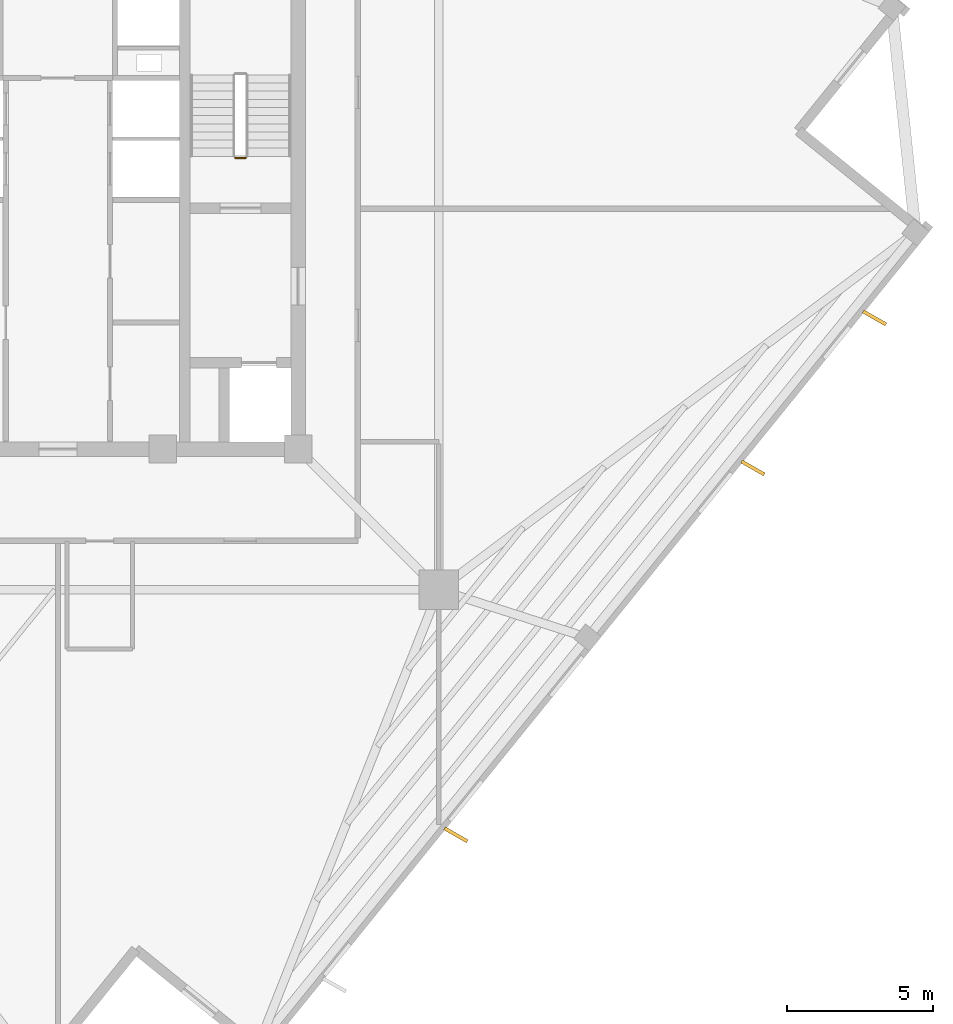
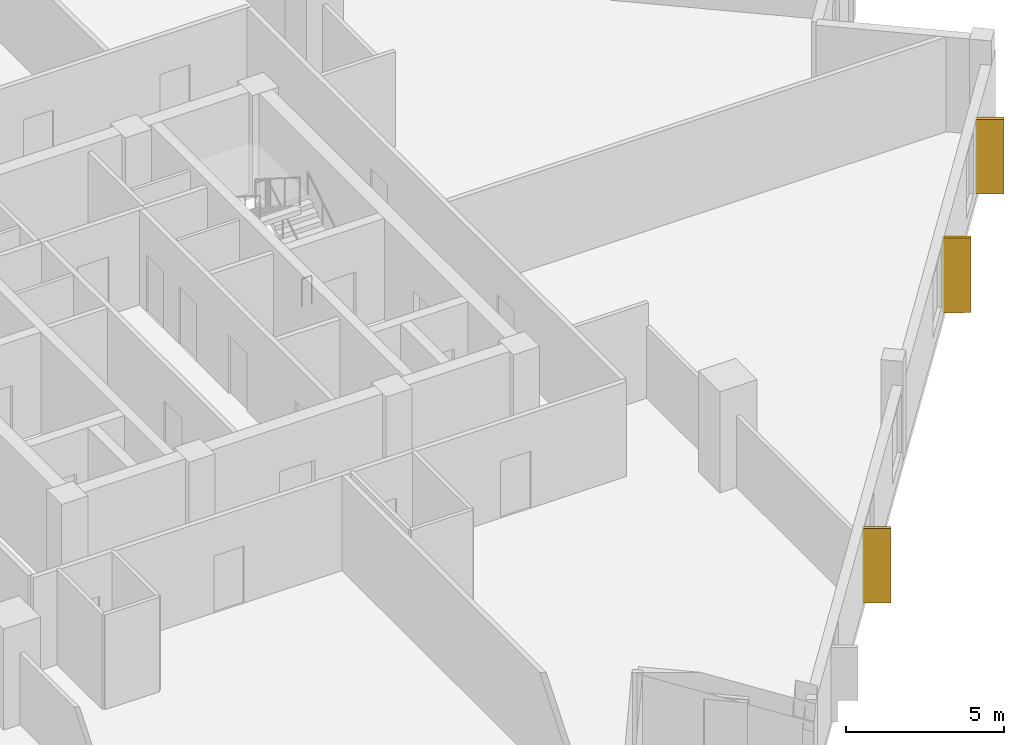
# One storey, part 8 of 10: 3 coverings, 1 railing.
"""IFC4 building model written with IfcOpenShell, lengths in metres."""

import ifcopenshell
import ifcopenshell.guid

model = None  # the IFC model being written
_history = None  # IfcOwnerHistory: only IFC2X3 demands one
_inside = {}  # id of a spatial element -> (the spatial element, [elements in it])
_under = {}  # id of a project, library or spatial element -> (it, [spatial elements below it])
_declared = {}  # id of a project -> (the project, [libraries it declares])
_typed = {}  # id of a type object -> (the type object, [elements of that type])
_made_of = {}  # id of a material, layer set ... -> (it, [elements and type objects made of it])


def new_model(schema):
    """Start an empty IFC model of exactly this schema.

    Asked for "IFC4X3", IfcOpenShell would pick the latest addendum, in which some entities
    have other attributes; the version numbers below select the first issue.
    IFC2X3 requires an IfcOwnerHistory on every rooted entity: one is made here for all.
    """
    global model, _history
    if schema == "IFC4X3":
        model = ifcopenshell.file(schema_version=(4, 3, 0, 0))
    else:
        model = ifcopenshell.file(schema=schema)
    _inside.clear()
    _under.clear()
    _declared.clear()
    _typed.clear()
    _made_of.clear()
    _history = None
    if model.schema == "IFC2X3":
        org = make("IfcOrganization", Name="unknown")
        user = make(
            "IfcPersonAndOrganization",
            ThePerson=make("IfcPerson", FamilyName="unknown"),
            TheOrganization=org,
        )
        app = make(
            "IfcApplication",
            ApplicationDeveloper=org,
            Version="unknown",
            ApplicationFullName="unknown",
            ApplicationIdentifier="unknown",
        )
        _history = make(
            "IfcOwnerHistory",
            OwningUser=user,
            OwningApplication=app,
            ChangeAction="ADDED",
            CreationDate=0,
        )
    return model


def make(cls, **values):
    """One entity of the class cls with the attributes given. An attribute that is None is left unset."""
    return model.create_entity(
        cls, **{name: value for name, value in values.items() if value is not None}
    )


def rooted(cls, **values):
    """An entity with a GlobalId (a new one), such as an element, a storey or a relation."""
    return make(cls, GlobalId=ifcopenshell.guid.new(), OwnerHistory=_history, **values)


def si_unit(unit_type, name, prefix=None):
    """IfcSIUnit, for example si_unit("LENGTHUNIT", "METRE", prefix="MILLI")."""
    return make("IfcSIUnit", UnitType=unit_type, Prefix=prefix, Name=name)


def assignment(units):
    """IfcUnitAssignment: the units of a project."""
    return None if units is None else make("IfcUnitAssignment", Units=units)


def point(xyz):
    """IfcCartesianPoint."""
    return None if xyz is None else make("IfcCartesianPoint", Coordinates=xyz)


def direction(xyz):
    """IfcDirection."""
    return None if xyz is None else make("IfcDirection", DirectionRatios=xyz)


def frame(location, z_axis=None, x_axis=None):
    """IfcAxis2Placement3D, a coordinate frame: its origin and axes. An axis left out is left unset."""
    return make(
        "IfcAxis2Placement3D",
        Location=point(location),
        Axis=direction(z_axis),
        RefDirection=direction(x_axis),
    )


def frame_2d(location, x_axis=None):
    """IfcAxis2Placement2D, a coordinate frame in the plane: its origin and x axis."""
    return make(
        "IfcAxis2Placement2D", Location=point(location), RefDirection=direction(x_axis)
    )


def origin():
    """The frame at (0, 0, 0) with its axes left unset."""
    return frame((0.0, 0.0, 0.0))


def origin_2d():
    """The frame at (0, 0) in the plane with its x axis left unset."""
    return frame_2d((0.0, 0.0))


def place(relative_to, where):
    """IfcLocalPlacement: puts the frame where relative to a parent placement (None: the world)."""
    return make(
        "IfcLocalPlacement", PlacementRelTo=relative_to, RelativePlacement=where
    )


def context(
    kind, dimensions, precision=None, world=None, true_north=None, identifier=None
):
    """IfcGeometricRepresentationContext, for example the 3D "Model" context."""
    return make(
        "IfcGeometricRepresentationContext",
        ContextIdentifier=identifier,
        ContextType=kind,
        CoordinateSpaceDimension=dimensions,
        Precision=precision,
        WorldCoordinateSystem=world,
        TrueNorth=true_north,
    )


def subcontext(parent, identifier, kind, view, scale=None):
    """IfcGeometricRepresentationSubContext, for example "Body" below "Model"."""
    return make(
        "IfcGeometricRepresentationSubContext",
        ContextIdentifier=identifier,
        ContextType=kind,
        ParentContext=parent,
        TargetScale=scale,
        TargetView=view,
    )


def project(units=None, contexts=None):
    """IfcProject with its units and contexts."""
    return rooted(
        "IfcProject",
        Name="project",
        RepresentationContexts=contexts,
        UnitsInContext=assignment(units),
    )


def spatial(cls, under=None, at=None, **own):
    """A site, building, storey or space (cls), placed at a placement, below another one or the project."""
    s = rooted(cls, ObjectPlacement=at, **own)
    if under is not None:
        _under.setdefault(under.id(), (under, []))[1].append(s)
    return s


def profile(cls, at=None, kind="AREA", **sizes):
    """A parametric profile (cls). Its sizes go by their IFC names, for example OverallWidth=200.0."""
    return make(cls, ProfileType=kind, Position=at, **sizes)


def rectangle(**sizes):
    """IfcRectangleProfileDef."""
    return profile("IfcRectangleProfileDef", **sizes)


def circle(**sizes):
    """IfcCircleProfileDef."""
    return profile("IfcCircleProfileDef", **sizes)


def extrude(swept, where, along, depth):
    """IfcExtrudedAreaSolid: the profile swept, set in the frame where, extruded along a direction by depth."""
    return make(
        "IfcExtrudedAreaSolid",
        SweptArea=swept,
        Position=where,
        ExtrudedDirection=direction(along),
        Depth=depth,
    )


def shape(context_of_items, identifier, shape_type, items):
    """IfcShapeRepresentation: the items that make up one representation, for example the "Body"."""
    return make(
        "IfcShapeRepresentation",
        ContextOfItems=context_of_items,
        RepresentationIdentifier=identifier,
        RepresentationType=shape_type,
        Items=items,
    )


def source(mapping_origin, context_of_items, identifier, shape_type, items):
    """IfcRepresentationMap: a shape defined once, which mapped items show again and again."""
    return make(
        "IfcRepresentationMap",
        MappingOrigin=mapping_origin,
        MappedRepresentation=shape(context_of_items, identifier, shape_type, items),
    )


def transform(
    local_origin,
    x_axis=None,
    y_axis=None,
    z_axis=None,
    scale=None,
    scale2=None,
    scale3=None,
    uniform=True,
):
    """IfcCartesianTransformationOperator3D, or its non-uniform kind. x_axis, y_axis, z_axis: its Axis1, 2, 3."""
    if uniform:
        return make(
            "IfcCartesianTransformationOperator3D",
            Axis1=direction(x_axis),
            Axis2=direction(y_axis),
            LocalOrigin=point(local_origin),
            Scale=scale,
            Axis3=direction(z_axis),
        )
    return make(
        "IfcCartesianTransformationOperator3DnonUniform",
        Axis1=direction(x_axis),
        Axis2=direction(y_axis),
        LocalOrigin=point(local_origin),
        Scale=scale,
        Axis3=direction(z_axis),
        Scale2=scale2,
        Scale3=scale3,
    )


def mapped(mapping_source, mapping_target):
    """IfcMappedItem: shows the shape of a source again, moved by a transform."""
    return make(
        "IfcMappedItem", MappingSource=mapping_source, MappingTarget=mapping_target
    )


def material(Name=None, Category=None):
    """IfcMaterial."""
    return make("IfcMaterial", Name=Name, Category=Category)


def layer(
    of_material, thickness, ventilated=None, Name=None, Category=None, Priority=None
):
    """IfcMaterialLayer: one layer of a wall or slab, of a material (None: an air gap)."""
    return make(
        "IfcMaterialLayer",
        Material=of_material,
        LayerThickness=thickness,
        IsVentilated=ventilated,
        Name=Name,
        Category=Category,
        Priority=Priority,
    )


def layer_set(layers, Name=None):
    """IfcMaterialLayerSet."""
    return make("IfcMaterialLayerSet", MaterialLayers=layers, LayerSetName=Name)


def made_of(thing, what):
    """Note that an element or type object is made of a material, layer set ...; save() writes the relation."""
    if what is not None:
        _made_of.setdefault(what.id(), (what, []))[1].append(thing)
    return thing


def type_object(cls, material=None, **own):
    """A type object (cls), such as IfcWallType, which elements share."""
    return made_of(rooted(cls, **own), material)


def element(
    cls,
    number,
    at=None,
    inside=None,
    cuts=None,
    type_object=None,
    material=None,
    context=None,
    identifier="Body",
    shape_type=None,
    held_by="IfcProductDefinitionShape",
    body=None,
    shapes=None,
    **own,
):
    """One element of the class cls, such as IfcWall. Its Tag is "e" and its number.

    at: its placement. inside: the storey or other place that contains it. cuts: it is an
    opening in that element (IfcRelVoidsElement). A single representation is given by context,
    identifier, shape_type and body (its items); several are given by shapes. held_by: the class
    of the entity that holds the representations. save() writes the other relations.
    """
    e = rooted(cls, Tag="e%d" % number, ObjectPlacement=at, **own)
    if body is not None:
        shapes = [shape(context, identifier, shape_type, body)]
    if shapes is not None:
        e.Representation = make(held_by, Representations=shapes)
    if inside is not None:
        _inside.setdefault(inside.id(), (inside, []))[1].append(e)
    if cuts is not None:
        rooted(
            "IfcRelVoidsElement", RelatingBuildingElement=cuts, RelatedOpeningElement=e
        )
    if type_object is not None:
        _typed.setdefault(type_object.id(), (type_object, []))[1].append(e)
    return made_of(e, material)


def aggregate(whole, parts):
    """IfcRelAggregates: a whole, such as a stair, and the parts it consists of."""
    return rooted("IfcRelAggregates", RelatingObject=whole, RelatedObjects=parts)


def save(model, path):
    """Write the relations noted so far, then the file.

    IfcRelAggregates (storeys below a building ...), IfcRelContainedInSpatialStructure (elements
    in a storey), IfcRelDefinesByType, IfcRelAssociatesMaterial and IfcRelDeclares: one each for
    every whole, place, type object, material and project.
    """
    for whole, parts in _under.values():
        aggregate(whole, parts)
    for where, things in _inside.values():
        rooted(
            "IfcRelContainedInSpatialStructure",
            RelatedElements=things,
            RelatingStructure=where,
        )
    for kind, things in _typed.values():
        rooted("IfcRelDefinesByType", RelatedObjects=things, RelatingType=kind)
    for what, things in _made_of.values():
        rooted("IfcRelAssociatesMaterial", RelatedObjects=things, RelatingMaterial=what)
    for by, libraries in _declared.values():
        rooted("IfcRelDeclares", RelatingContext=by, RelatedDefinitions=libraries)
    model.write(path)


model = new_model("IFC4")

# Units and contexts
model_context = context("Model", 3, precision=1e-05, world=origin(), true_north=direction((0.0, 1.0)))
body_context = subcontext(model_context, "Body", "Model", "MODEL_VIEW")
ifc_project = project(units=[si_unit("LENGTHUNIT", "METRE"), si_unit("AREAUNIT", "SQUARE_METRE"), si_unit("VOLUMEUNIT", "CUBIC_METRE"), si_unit("PLANEANGLEUNIT", "RADIAN"), si_unit("MASSUNIT", "GRAM", prefix="KILO"), si_unit("THERMODYNAMICTEMPERATUREUNIT", "KELVIN")], contexts=[model_context])

# Site, building, storey
site_placement = place(None, origin())
site = spatial("IfcSite", under=ifc_project, at=site_placement, CompositionType="ELEMENT")
building_placement = place(site_placement, origin())
building = spatial("IfcBuilding", under=site, at=building_placement, Name="Kosmvard Interchange Tower", CompositionType="ELEMENT")
storey_placement = place(building_placement, frame((0.0, 0.0, 252.39990234375)))
storey = spatial("IfcBuildingStorey", under=building, at=storey_placement, Name="L61", CompositionType="ELEMENT", Elevation=252.39990234375)

# Coverings
ifc_material_1 = material(Name="Architectural anodised aluminium", Category="aluminium")
ifc_layer = layer(ifc_material_1, 0.1201171875, Name="Architectural anodised aluminium")
ifc_layer_set = layer_set([ifc_layer], Name="Architectural anodised aluminium")
covering_type = type_object("IfcCoveringType", Name="Rotating Vertical Sun-Breaker Fin 900x120 Aluminium", PredefinedType="CLADDING", material=ifc_layer_set)
shared_shape_1 = source(origin(), body_context, "Body", "SweptSolid", [
    extrude(rectangle(XDim=0.89990234375, YDim=0.1201171875, at=origin_2d()), origin(), (0.0, 0.0, 1.0), 2.8798828125),
])
for number, where, z_axis, x_axis, name in (
    (1, (13.66748046875, -21.49658203125, 0.0400390625), (0.0, 0.0, 1.0), (0.868112195148, -0.496368025395, 0.0), "L61 Rotating Vertical Sun-Breaker Fin 02"),
    (2, (23.86865234375, -8.8994140625, 0.0400390625), (0.0, 0.0, 1.0), (0.868112195148, -0.496368025395, 0.0), "L61 Rotating Vertical Sun-Breaker Fin 03"),
    (3, (28.041748046875, -3.74609375, 0.0400390625), (0.0, 0.0, 1.0), (0.868112195148, -0.496368025395, 0.0), "L61 Rotating Vertical Sun-Breaker Fin 04"),
):
    element("IfcCovering", number, at=place(storey_placement, frame(where, z_axis=z_axis, x_axis=x_axis)), inside=storey, type_object=covering_type, Name=name, PredefinedType="CLADDING", context=body_context, shape_type="MappedRepresentation", body=[
        mapped(shared_shape_1, transform((0.0, 0.0, 0.0), scale=1.0)),
    ])

# Railing
ifc_material_2 = material(Name="Steel S355", Category="steel")
railing_type = type_object("IfcRailingType", Name="Stair & Terrace Safety Guardrail 1100 Steel", PredefinedType="GUARDRAIL", material=ifc_material_2)
shared_shape_2 = source(origin(), body_context, "Body", "SweptSolid", [
    extrude(circle(Radius=0.02392578125, at=origin_2d()), frame((0.0, 0.0, 1.076171875), z_axis=(-1.0, 0.0, 0.0), x_axis=(0.0, -1.0, 0.0)), (0.0, 0.0, 1.0), 0.35986328125),
    extrude(circle(Radius=0.02099609375, at=origin_2d()), origin(), (0.0, 0.0, 1.0), 1.052001953125),
    extrude(circle(Radius=0.02099609375, at=origin_2d()), frame((-0.35986328125, 0.0, 0.0)), (0.0, 0.0, 1.0), 1.052001953125),
])
railing_placement = place(storey_placement, frame((6.449951171875, 1.75, 0.0)))
element("IfcRailing", 4, at=railing_placement, inside=storey, type_object=railing_type, Name="L61 ST-2 stair guard 4", PredefinedType="GUARDRAIL", context=body_context, shape_type="MappedRepresentation", body=[
    mapped(shared_shape_2, transform((0.0, 0.0, 0.0), scale=1.0)),
])

save(model, "model.ifc")
